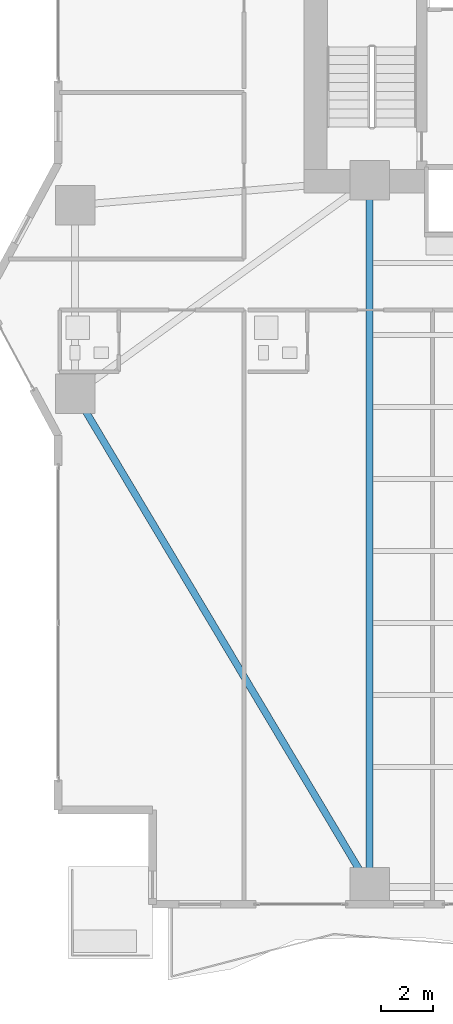
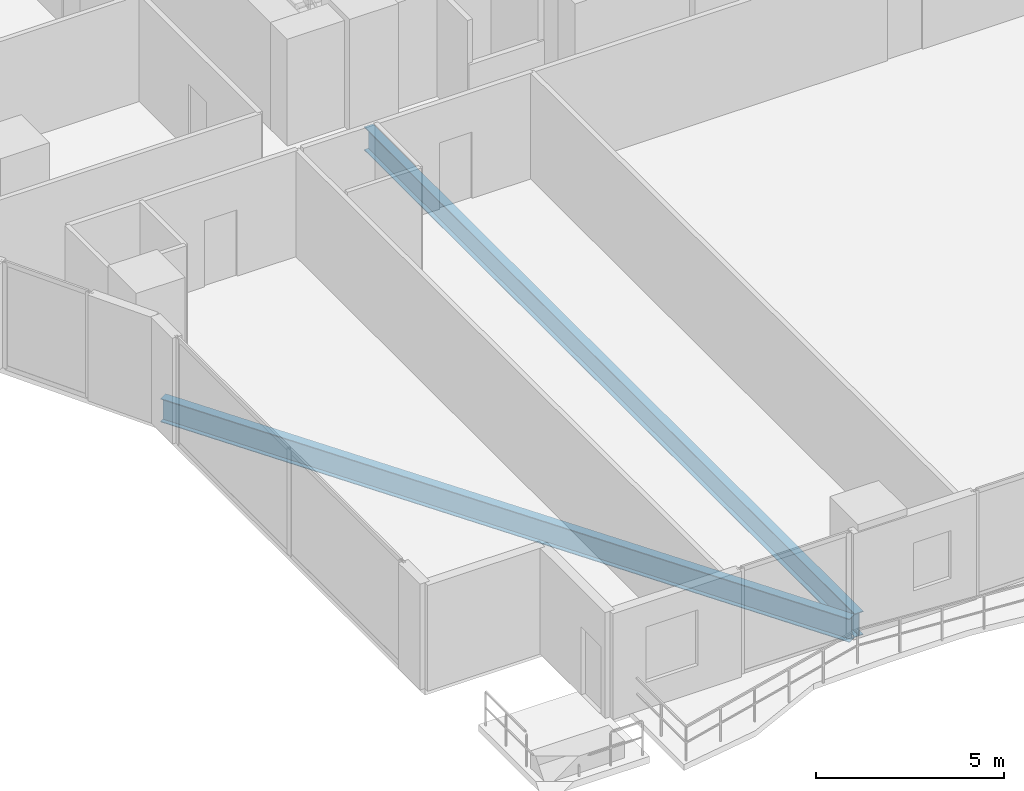
# One storey, part 3 of 28: 2 beams.
"""IFC4 building model written with IfcOpenShell, lengths in metres."""

from ifc_helpers import new_model, si_unit, direction, frame, origin, origin_2d, place, context, subcontext, project, spatial, i_section, extrude, material, material_profile, profile_set, type_object, element, save


model = new_model("IFC4")

# Units and contexts
model_context = context("Model", 3, precision=1e-05, world=origin(), true_north=direction((0.0, 1.0)))
body_context = subcontext(model_context, "Body", "Model", "MODEL_VIEW")
ifc_project = project(units=[si_unit("LENGTHUNIT", "METRE"), si_unit("AREAUNIT", "SQUARE_METRE"), si_unit("VOLUMEUNIT", "CUBIC_METRE"), si_unit("PLANEANGLEUNIT", "RADIAN"), si_unit("MASSUNIT", "GRAM", prefix="KILO")], contexts=[model_context])

# Site, building, storey
site_placement = place(None, origin())
site = spatial("IfcSite", under=ifc_project, at=site_placement, CompositionType="ELEMENT")
building_placement = place(site_placement, origin())
building = spatial("IfcBuilding", under=site, at=building_placement, Name="Zuhayl Quay Hotel", CompositionType="ELEMENT")
storey_placement = place(building_placement, frame((0.0, 0.0, 71.39990234375)))
storey = spatial("IfcBuildingStorey", under=building, at=storey_placement, Name="L17", CompositionType="ELEMENT", Elevation=71.39990234375)

# Beams
ifc_material = material(Name="Steel ASTM A992 Grade 50", Category="steel")
ifc_material_profile = material_profile(ifc_material, i_section(OverallWidth=0.26708984375, OverallDepth=0.761962890625, WebThickness=0.014404296875, FlangeThickness=0.021484375, at=origin_2d()), Name="W30X116")
ifc_profile_set = profile_set([ifc_material_profile], Name="Steel ASTM A992 Grade 50")
beam_type = type_object("IfcBeamType", Name="BM_B1_W30X116", PredefinedType="BEAM", material=ifc_profile_set)
beam_1_placement = place(storey_placement, frame((-24.793701171875, -4.029296875, -0.600830078125), z_axis=(0.512482593247, -0.85869761361, 0.0), x_axis=(0.85869761361, 0.512482593247, 0.0)))
element("IfcBeam", 1, at=beam_1_placement, inside=storey, type_object=beam_type, Name="L17 Floor Beam RG_L17_12", PredefinedType="BEAM", context=body_context, shape_type="SweptSolid", body=[
    extrude(i_section(OverallWidth=0.26708984375, OverallDepth=0.761962890625, WebThickness=0.014404296875, FlangeThickness=0.021484375, at=origin_2d()), origin(), (0.0, 0.0, 1.0), 20.9521484375),
])
beam_2_placement = place(storey_placement, frame((-13.800048828125, -21.949951171875, -0.600830078125), z_axis=(0.0, 1.0, 0.0), x_axis=(-1.0, 0.0, 0.0)))
element("IfcBeam", 2, at=beam_2_placement, inside=storey, type_object=beam_type, Name="L17 Floor Beam FG_S_L17_1", PredefinedType="BEAM", context=body_context, shape_type="SweptSolid", body=[
    extrude(i_section(OverallWidth=0.26708984375, OverallDepth=0.761962890625, WebThickness=0.014404296875, FlangeThickness=0.021484375, at=origin_2d()), origin(), (0.0, 0.0, 1.0), 26.050048828125),
])

save(model, "model.ifc")
